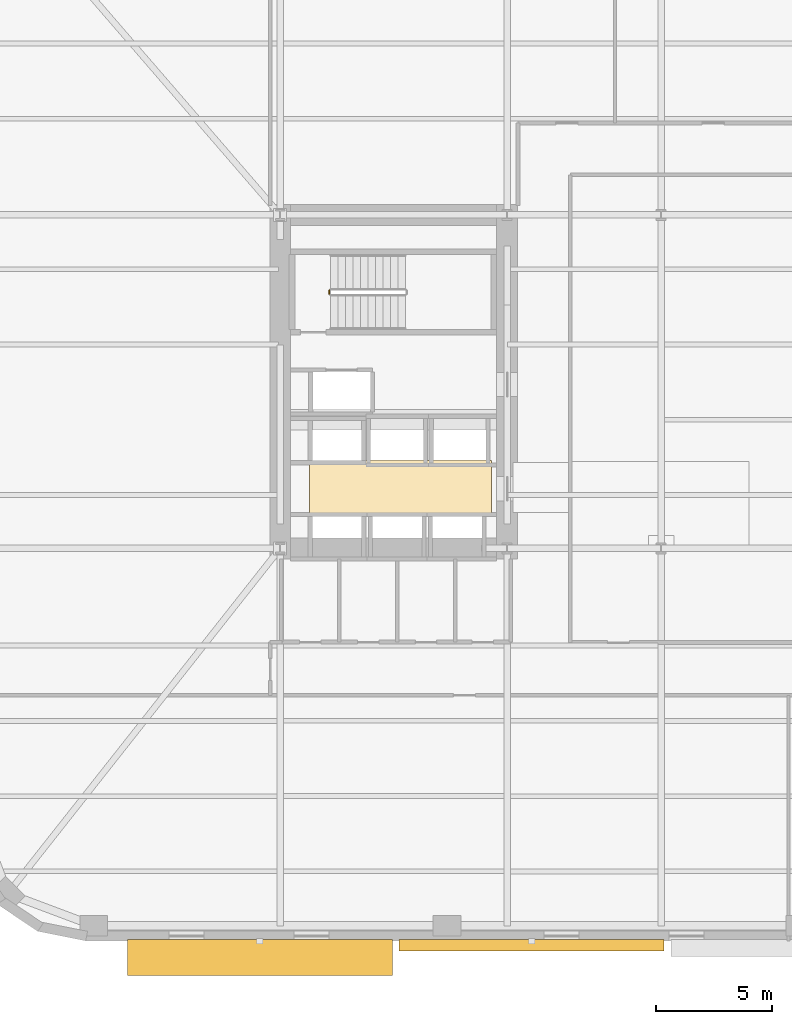
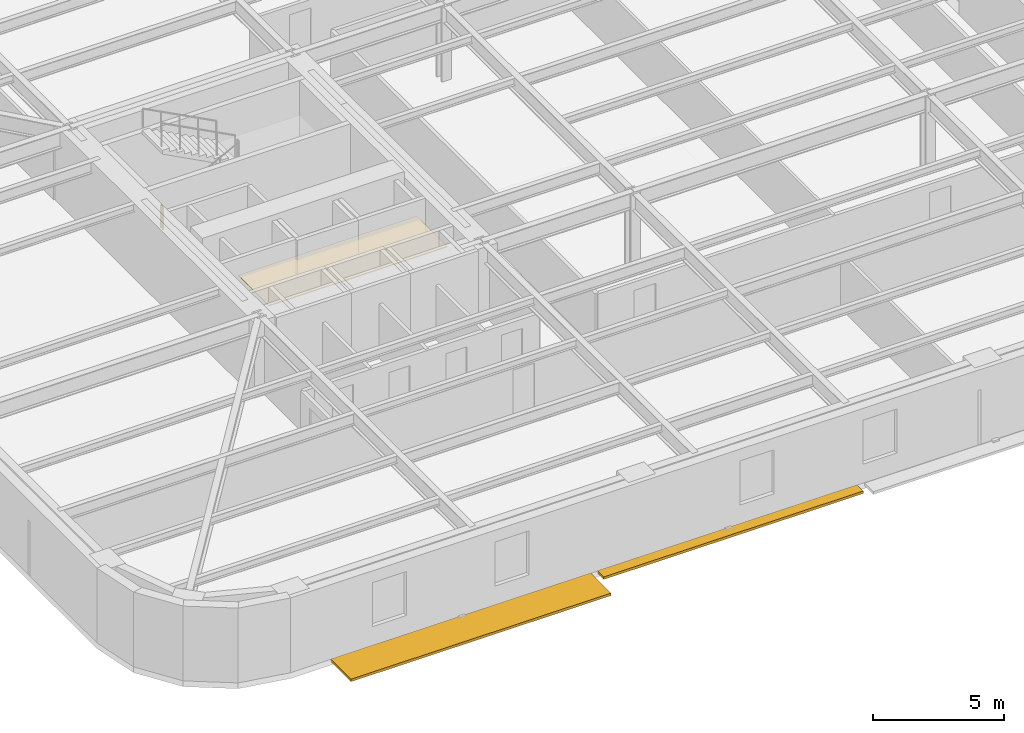
# One storey, part 9 of 15: 2 shading devices, 1 covering, 1 railing.
"""IFC4 building model written with IfcOpenShell, lengths in metres."""

from ifc_helpers import new_model, si_unit, direction, frame, origin, origin_2d, place, context, subcontext, project, spatial, polyline, rectangle, circle, outline, extrude, material, layer, layer_set, type_object, element, save


model = new_model("IFC4")

# Units and contexts
model_context = context("Model", 3, precision=1e-05, world=origin(), true_north=direction((0.0, 1.0)))
body_context = subcontext(model_context, "Body", "Model", "MODEL_VIEW")
ifc_project = project(units=[si_unit("LENGTHUNIT", "METRE"), si_unit("AREAUNIT", "SQUARE_METRE"), si_unit("VOLUMEUNIT", "CUBIC_METRE"), si_unit("PLANEANGLEUNIT", "RADIAN"), si_unit("MASSUNIT", "GRAM", prefix="KILO")], contexts=[model_context])

# Site, building, storey
site_placement = place(None, origin())
site = spatial("IfcSite", under=ifc_project, at=site_placement, CompositionType="ELEMENT")
building_placement = place(site_placement, origin())
building = spatial("IfcBuilding", under=site, at=building_placement, Name="Kolvaren Arena Tower", CompositionType="ELEMENT")
storey_placement = place(building_placement, frame((0.0, 0.0, 45.75)))
storey = spatial("IfcBuildingStorey", under=building, at=storey_placement, Name="L08", CompositionType="ELEMENT", Elevation=45.75)

# Covering
ifc_material_1 = material(Name="Moisture-resistant gypsum ceiling", Category="gypsum")
ifc_layer = layer(ifc_material_1, 0.030029296875)
ifc_layer_set = layer_set([ifc_layer], Name="Moisture-resistant gypsum ceiling")
covering_type = type_object("IfcCoveringType", Name="CEIL-GYP-1", PredefinedType="CEILING", material=ifc_layer_set)
covering_placement = place(storey_placement, frame((0.0, 0.0, 2.52001953125)))
element("IfcCovering", 1, at=covering_placement, inside=storey, type_object=covering_type, Name="Suspended Ceiling (L08)", PredefinedType="CEILING", context=body_context, shape_type="SweptSolid", body=[
    extrude(outline(polyline([(15.820068359375, 20.89990234375), (15.820068359375, 23.239990234375), (23.679931640625, 23.239990234375), (23.679931640625, 20.89990234375), (15.820068359375, 20.89990234375)])), origin(), (0.0, 0.0, 1.0), 0.030029296875),
])

# Railing
ifc_material_2 = material(Name="Painted galvanized steel", Category="steel")
railing_type = type_object("IfcRailingType", Name="GUARD-ST-110", PredefinedType="GUARDRAIL", material=ifc_material_2)
railing_placement = place(storey_placement, frame((16.669921875, 30.43994140625, 0.0)))
element("IfcRailing", 2, at=railing_placement, inside=storey, type_object=railing_type, Name="L08 ST-W1 stair guard 4", PredefinedType="GUARDRAIL", context=body_context, shape_type="SweptSolid", body=[
    extrude(circle(Radius=0.02392578125, at=origin_2d()), frame((0.0, 0.0, 1.076171875), z_axis=(0.0, 1.0, 0.0), x_axis=(-1.0, 0.0, 0.0)), (0.0, 0.0, 1.0), 0.150146484375),
    extrude(circle(Radius=0.02099609375, at=origin_2d()), origin(), (0.0, 0.0, 1.0), 1.052001953125),
    extrude(circle(Radius=0.02099609375, at=origin_2d()), frame((0.0, 0.150146484375, 0.0)), (0.0, 0.0, 1.0), 1.052001953125),
])

# Shading devices
ifc_material_3 = material(Name="Architectural precast GFRC and anodised aluminium sunshade", Category="concrete")
shading_device_type_1 = type_object("IfcShadingDeviceType", Name="SHAD-SINE-A", PredefinedType="USERDEFINED", material=ifc_material_3)
shading_device_1_placement = place(storey_placement, frame((25.409912109375, 2.30908203125, -0.14013671875), z_axis=(0.0, 0.0, 1.0), x_axis=(-1.0, 0.0, 0.0)))
element("IfcShadingDevice", 3, at=shading_device_1_placement, inside=storey, type_object=shading_device_type_1, Name="Sinusoidal Slab-Edge Sunshade Louvre (L08)", ObjectType="LOUVRE", PredefinedType="USERDEFINED", context=body_context, shape_type="SweptSolid", body=[
    extrude(rectangle(XDim=11.43994140625, YDim=0.481689453125, at=origin_2d()), origin(), (0.0, 0.0, 1.0), 0.1201171875),
])
shading_device_type_2 = type_object("IfcShadingDeviceType", Name="SHAD-SINE-B", PredefinedType="JALOUSIE", material=ifc_material_3)
shading_device_2_placement = place(storey_placement, frame((13.669921875, 1.77490234375, -0.14013671875), z_axis=(0.0, 0.0, 1.0), x_axis=(-1.0, 0.0, 0.0)))
element("IfcShadingDevice", 4, at=shading_device_2_placement, inside=storey, type_object=shading_device_type_2, Name="Sinusoidal Slab-Edge Sunshade Louvre (L08)", PredefinedType="JALOUSIE", context=body_context, shape_type="SweptSolid", body=[
    extrude(rectangle(XDim=11.43994140625, YDim=1.55029296875, at=origin_2d()), origin(), (0.0, 0.0, 1.0), 0.1201171875),
])

save(model, "model.ifc")
